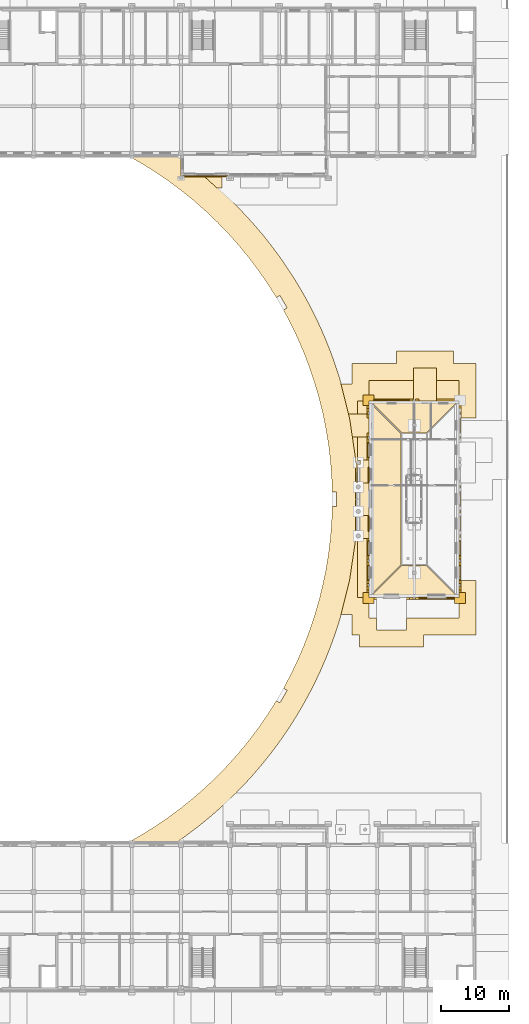
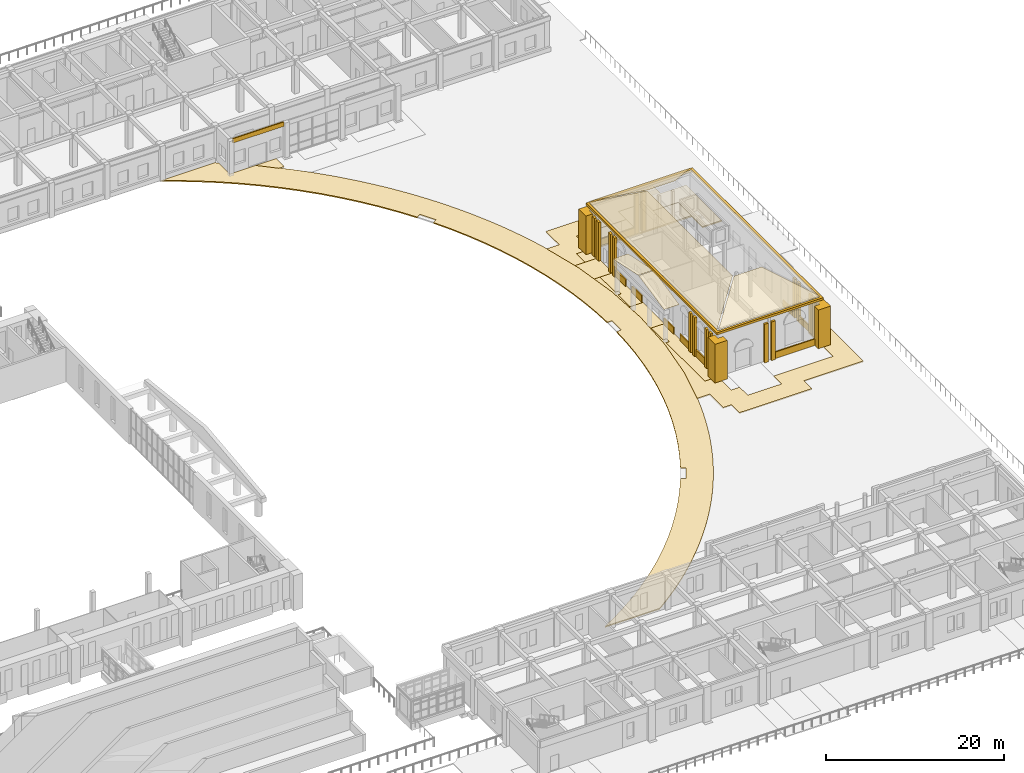
# One storey, part 125 of 131: 45 coverings.
"""IFC4 building model written with IfcOpenShell, lengths in metres."""

import ifcopenshell
import ifcopenshell.guid

model = None  # the IFC model being written
_history = None  # IfcOwnerHistory: only IFC2X3 demands one
_inside = {}  # id of a spatial element -> (the spatial element, [elements in it])
_under = {}  # id of a project, library or spatial element -> (it, [spatial elements below it])
_declared = {}  # id of a project -> (the project, [libraries it declares])
_typed = {}  # id of a type object -> (the type object, [elements of that type])
_made_of = {}  # id of a material, layer set ... -> (it, [elements and type objects made of it])


def new_model(schema):
    """Start an empty IFC model of exactly this schema.

    Asked for "IFC4X3", IfcOpenShell would pick the latest addendum, in which some entities
    have other attributes; the version numbers below select the first issue.
    IFC2X3 requires an IfcOwnerHistory on every rooted entity: one is made here for all.
    """
    global model, _history
    if schema == "IFC4X3":
        model = ifcopenshell.file(schema_version=(4, 3, 0, 0))
    else:
        model = ifcopenshell.file(schema=schema)
    _inside.clear()
    _under.clear()
    _declared.clear()
    _typed.clear()
    _made_of.clear()
    _history = None
    if model.schema == "IFC2X3":
        org = make("IfcOrganization", Name="unknown")
        user = make(
            "IfcPersonAndOrganization",
            ThePerson=make("IfcPerson", FamilyName="unknown"),
            TheOrganization=org,
        )
        app = make(
            "IfcApplication",
            ApplicationDeveloper=org,
            Version="unknown",
            ApplicationFullName="unknown",
            ApplicationIdentifier="unknown",
        )
        _history = make(
            "IfcOwnerHistory",
            OwningUser=user,
            OwningApplication=app,
            ChangeAction="ADDED",
            CreationDate=0,
        )
    return model


def make(cls, **values):
    """One entity of the class cls with the attributes given. An attribute that is None is left unset."""
    return model.create_entity(
        cls, **{name: value for name, value in values.items() if value is not None}
    )


def rooted(cls, **values):
    """An entity with a GlobalId (a new one), such as an element, a storey or a relation."""
    return make(cls, GlobalId=ifcopenshell.guid.new(), OwnerHistory=_history, **values)


def si_unit(unit_type, name, prefix=None):
    """IfcSIUnit, for example si_unit("LENGTHUNIT", "METRE", prefix="MILLI")."""
    return make("IfcSIUnit", UnitType=unit_type, Prefix=prefix, Name=name)


def assignment(units):
    """IfcUnitAssignment: the units of a project."""
    return None if units is None else make("IfcUnitAssignment", Units=units)


def point(xyz):
    """IfcCartesianPoint."""
    return None if xyz is None else make("IfcCartesianPoint", Coordinates=xyz)


def direction(xyz):
    """IfcDirection."""
    return None if xyz is None else make("IfcDirection", DirectionRatios=xyz)


def frame(location, z_axis=None, x_axis=None):
    """IfcAxis2Placement3D, a coordinate frame: its origin and axes. An axis left out is left unset."""
    return make(
        "IfcAxis2Placement3D",
        Location=point(location),
        Axis=direction(z_axis),
        RefDirection=direction(x_axis),
    )


def frame_2d(location, x_axis=None):
    """IfcAxis2Placement2D, a coordinate frame in the plane: its origin and x axis."""
    return make(
        "IfcAxis2Placement2D", Location=point(location), RefDirection=direction(x_axis)
    )


def origin():
    """The frame at (0, 0, 0) with its axes left unset."""
    return frame((0.0, 0.0, 0.0))


def place(relative_to, where):
    """IfcLocalPlacement: puts the frame where relative to a parent placement (None: the world)."""
    return make(
        "IfcLocalPlacement", PlacementRelTo=relative_to, RelativePlacement=where
    )


def context(
    kind, dimensions, precision=None, world=None, true_north=None, identifier=None
):
    """IfcGeometricRepresentationContext, for example the 3D "Model" context."""
    return make(
        "IfcGeometricRepresentationContext",
        ContextIdentifier=identifier,
        ContextType=kind,
        CoordinateSpaceDimension=dimensions,
        Precision=precision,
        WorldCoordinateSystem=world,
        TrueNorth=true_north,
    )


def subcontext(parent, identifier, kind, view, scale=None):
    """IfcGeometricRepresentationSubContext, for example "Body" below "Model"."""
    return make(
        "IfcGeometricRepresentationSubContext",
        ContextIdentifier=identifier,
        ContextType=kind,
        ParentContext=parent,
        TargetScale=scale,
        TargetView=view,
    )


def project(units=None, contexts=None):
    """IfcProject with its units and contexts."""
    return rooted(
        "IfcProject",
        Name="project",
        RepresentationContexts=contexts,
        UnitsInContext=assignment(units),
    )


def spatial(cls, under=None, at=None, **own):
    """A site, building, storey or space (cls), placed at a placement, below another one or the project."""
    s = rooted(cls, ObjectPlacement=at, **own)
    if under is not None:
        _under.setdefault(under.id(), (under, []))[1].append(s)
    return s


def polyline(points):
    """IfcPolyline through the points."""
    return make("IfcPolyline", Points=[point(p) for p in points])


def profile(cls, at=None, kind="AREA", **sizes):
    """A parametric profile (cls). Its sizes go by their IFC names, for example OverallWidth=200.0."""
    return make(cls, ProfileType=kind, Position=at, **sizes)


def rectangle(**sizes):
    """IfcRectangleProfileDef."""
    return profile("IfcRectangleProfileDef", **sizes)


def outline(outer, holes=None, kind="AREA"):
    """IfcArbitraryClosedProfileDef: a profile drawn as a closed curve; with holes, ...WithVoids."""
    if holes is None:
        return make("IfcArbitraryClosedProfileDef", ProfileType=kind, OuterCurve=outer)
    return make(
        "IfcArbitraryProfileDefWithVoids",
        ProfileType=kind,
        OuterCurve=outer,
        InnerCurves=holes,
    )


def extrude(swept, where, along, depth):
    """IfcExtrudedAreaSolid: the profile swept, set in the frame where, extruded along a direction by depth."""
    return make(
        "IfcExtrudedAreaSolid",
        SweptArea=swept,
        Position=where,
        ExtrudedDirection=direction(along),
        Depth=depth,
    )


def shape(context_of_items, identifier, shape_type, items):
    """IfcShapeRepresentation: the items that make up one representation, for example the "Body"."""
    return make(
        "IfcShapeRepresentation",
        ContextOfItems=context_of_items,
        RepresentationIdentifier=identifier,
        RepresentationType=shape_type,
        Items=items,
    )


def material(Name=None, Category=None):
    """IfcMaterial."""
    return make("IfcMaterial", Name=Name, Category=Category)


def layer(
    of_material, thickness, ventilated=None, Name=None, Category=None, Priority=None
):
    """IfcMaterialLayer: one layer of a wall or slab, of a material (None: an air gap)."""
    return make(
        "IfcMaterialLayer",
        Material=of_material,
        LayerThickness=thickness,
        IsVentilated=ventilated,
        Name=Name,
        Category=Category,
        Priority=Priority,
    )


def layer_set(layers, Name=None):
    """IfcMaterialLayerSet."""
    return make("IfcMaterialLayerSet", MaterialLayers=layers, LayerSetName=Name)


def made_of(thing, what):
    """Note that an element or type object is made of a material, layer set ...; save() writes the relation."""
    if what is not None:
        _made_of.setdefault(what.id(), (what, []))[1].append(thing)
    return thing


def type_object(cls, material=None, **own):
    """A type object (cls), such as IfcWallType, which elements share."""
    return made_of(rooted(cls, **own), material)


def element(
    cls,
    number,
    at=None,
    inside=None,
    cuts=None,
    type_object=None,
    material=None,
    context=None,
    identifier="Body",
    shape_type=None,
    held_by="IfcProductDefinitionShape",
    body=None,
    shapes=None,
    **own,
):
    """One element of the class cls, such as IfcWall. Its Tag is "e" and its number.

    at: its placement. inside: the storey or other place that contains it. cuts: it is an
    opening in that element (IfcRelVoidsElement). A single representation is given by context,
    identifier, shape_type and body (its items); several are given by shapes. held_by: the class
    of the entity that holds the representations. save() writes the other relations.
    """
    e = rooted(cls, Tag="e%d" % number, ObjectPlacement=at, **own)
    if body is not None:
        shapes = [shape(context, identifier, shape_type, body)]
    if shapes is not None:
        e.Representation = make(held_by, Representations=shapes)
    if inside is not None:
        _inside.setdefault(inside.id(), (inside, []))[1].append(e)
    if cuts is not None:
        rooted(
            "IfcRelVoidsElement", RelatingBuildingElement=cuts, RelatedOpeningElement=e
        )
    if type_object is not None:
        _typed.setdefault(type_object.id(), (type_object, []))[1].append(e)
    return made_of(e, material)


def aggregate(whole, parts):
    """IfcRelAggregates: a whole, such as a stair, and the parts it consists of."""
    return rooted("IfcRelAggregates", RelatingObject=whole, RelatedObjects=parts)


def save(model, path):
    """Write the relations noted so far, then the file.

    IfcRelAggregates (storeys below a building ...), IfcRelContainedInSpatialStructure (elements
    in a storey), IfcRelDefinesByType, IfcRelAssociatesMaterial and IfcRelDeclares: one each for
    every whole, place, type object, material and project.
    """
    for whole, parts in _under.values():
        aggregate(whole, parts)
    for where, things in _inside.values():
        rooted(
            "IfcRelContainedInSpatialStructure",
            RelatedElements=things,
            RelatingStructure=where,
        )
    for kind, things in _typed.values():
        rooted("IfcRelDefinesByType", RelatedObjects=things, RelatingType=kind)
    for what, things in _made_of.values():
        rooted("IfcRelAssociatesMaterial", RelatedObjects=things, RelatingMaterial=what)
    for by, libraries in _declared.values():
        rooted("IfcRelDeclares", RelatingContext=by, RelatedDefinitions=libraries)
    model.write(path)


model = new_model("IFC4")

# Units and contexts
model_context = context("Model", 3, precision=1e-05, world=origin(), true_north=direction((0.0, 1.0)))
body_context = subcontext(model_context, "Body", "Model", "MODEL_VIEW")
ifc_project = project(units=[si_unit("LENGTHUNIT", "METRE"), si_unit("AREAUNIT", "SQUARE_METRE"), si_unit("VOLUMEUNIT", "CUBIC_METRE"), si_unit("PLANEANGLEUNIT", "RADIAN"), si_unit("MASSUNIT", "GRAM", prefix="KILO")], contexts=[model_context])

# Site, building, storey
site_placement = place(None, origin())
site = spatial("IfcSite", under=ifc_project, at=site_placement, CompositionType="ELEMENT")
building_placement = place(site_placement, origin())
building = spatial("IfcBuilding", under=site, at=building_placement, Name="Alderwick Market Hall", CompositionType="ELEMENT")
storey_placement = place(building_placement, frame((0.0, 0.0, 4.800048828125)))
storey = spatial("IfcBuildingStorey", under=building, at=storey_placement, Name="L00", CompositionType="ELEMENT", Elevation=4.800048828125)

# Coverings
ifc_material_1 = material(Name="Cast stone 5000 psi", Category="masonry")
ifc_layer_1 = layer(ifc_material_1, 0.14990234375)
ifc_layer_set_1 = layer_set([ifc_layer_1], Name="Cast stone 5000 psi")
covering_type_1 = type_object("IfcCoveringType", Name="F String Course Cast Stone 150x600", PredefinedType="CLADDING", material=ifc_layer_set_1)
covering_1_placement = place(storey_placement, frame((194.10009765625, 126.52490234375, 4.199951171875), z_axis=(0.0, 0.0, 1.0), x_axis=(-1.0, 0.0, 0.0)))
element("IfcCovering", 1, at=covering_1_placement, inside=storey, type_object=covering_type_1, Name="F.wall.L00.band.pav1.01", PredefinedType="CLADDING", context=body_context, shape_type="SweptSolid", body=[
    extrude(rectangle(XDim=6.60009765625, YDim=0.14990234375, at=frame_2d((3.300048828125, 0.0))), origin(), (0.0, 0.0, 1.0), 0.60009765625),
])
ifc_layer_2 = layer(ifc_material_1, 0.14990234375)
ifc_layer_set_2 = layer_set([ifc_layer_2], Name="Cast stone 5000 psi")
covering_type_2 = type_object("IfcCoveringType", Name="G Base course 150", PredefinedType="CLADDING", material=ifc_layer_set_2)
covering_2_placement = place(storey_placement, origin())
element("IfcCovering", 2, at=covering_2_placement, inside=storey, type_object=covering_type_2, Name="Base course W1", PredefinedType="CLADDING", context=body_context, shape_type="SweptSolid", body=[
    extrude(outline(polyline([(214.64990234375, 67.300048828125), (214.800048828125, 67.300048828125), (214.800048828125, 69.5), (214.64990234375, 69.5), (214.64990234375, 67.300048828125)])), origin(), (0.0, 0.0, 1.0), 0.89990234375),
])
covering_3_placement = place(storey_placement, origin())
element("IfcCovering", 3, at=covering_3_placement, inside=storey, type_object=covering_type_2, Name="Base course W2", PredefinedType="CLADDING", context=body_context, shape_type="SweptSolid", body=[
    extrude(outline(polyline([(214.64990234375, 70.89990234375), (214.800048828125, 70.89990234375), (214.800048828125, 73.10009765625), (214.64990234375, 73.10009765625), (214.64990234375, 70.89990234375)])), origin(), (0.0, 0.0, 1.0), 0.89990234375),
])
covering_4_placement = place(storey_placement, origin())
element("IfcCovering", 4, at=covering_4_placement, inside=storey, type_object=covering_type_2, Name="Base course W3", PredefinedType="CLADDING", context=body_context, shape_type="SweptSolid", body=[
    extrude(outline(polyline([(214.64990234375, 74.5), (214.800048828125, 74.5), (214.800048828125, 76.699951171875), (214.64990234375, 76.699951171875), (214.64990234375, 74.5)])), origin(), (0.0, 0.0, 1.0), 0.89990234375),
])
covering_5_placement = place(storey_placement, origin())
element("IfcCovering", 5, at=covering_5_placement, inside=storey, type_object=covering_type_2, Name="Base course W5", PredefinedType="CLADDING", context=body_context, shape_type="SweptSolid", body=[
    extrude(outline(polyline([(214.64990234375, 81.699951171875), (214.800048828125, 81.699951171875), (214.800048828125, 83.89990234375), (214.64990234375, 83.89990234375), (214.64990234375, 81.699951171875)])), origin(), (0.0, 0.0, 1.0), 0.89990234375),
])
covering_6_placement = place(storey_placement, origin())
element("IfcCovering", 6, at=covering_6_placement, inside=storey, type_object=covering_type_2, Name="Base course W6", PredefinedType="CLADDING", context=body_context, shape_type="SweptSolid", body=[
    extrude(outline(polyline([(214.64990234375, 85.300048828125), (214.800048828125, 85.300048828125), (214.800048828125, 87.5), (214.64990234375, 87.5), (214.64990234375, 85.300048828125)])), origin(), (0.0, 0.0, 1.0), 0.89990234375),
])
covering_7_placement = place(storey_placement, origin())
element("IfcCovering", 7, at=covering_7_placement, inside=storey, type_object=covering_type_2, Name="Base course E1", PredefinedType="CLADDING", context=body_context, shape_type="SweptSolid", body=[
    extrude(outline(polyline([(228.0, 67.300048828125), (228.14990234375, 67.300048828125), (228.14990234375, 69.5), (228.0, 69.5), (228.0, 67.300048828125)])), origin(), (0.0, 0.0, 1.0), 0.89990234375),
])
covering_8_placement = place(storey_placement, origin())
element("IfcCovering", 8, at=covering_8_placement, inside=storey, type_object=covering_type_2, Name="Base course E2", PredefinedType="CLADDING", context=body_context, shape_type="SweptSolid", body=[
    extrude(outline(polyline([(228.0, 70.89990234375), (228.14990234375, 70.89990234375), (228.14990234375, 73.10009765625), (228.0, 73.10009765625), (228.0, 70.89990234375)])), origin(), (0.0, 0.0, 1.0), 0.89990234375),
])
covering_9_placement = place(storey_placement, origin())
element("IfcCovering", 9, at=covering_9_placement, inside=storey, type_object=covering_type_2, Name="Base course S2", PredefinedType="CLADDING", context=body_context, shape_type="SweptSolid", body=[
    extrude(outline(polyline([(222.10009765625, 64.64990234375), (227.300048828125, 64.64990234375), (227.300048828125, 64.800048828125), (222.10009765625, 64.800048828125), (222.10009765625, 64.64990234375)])), origin(), (0.0, 0.0, 1.0), 0.89990234375),
])
covering_10_placement = place(storey_placement, origin())
element("IfcCovering", 10, at=covering_10_placement, inside=storey, type_object=covering_type_2, Name="Base course N1", PredefinedType="CLADDING", context=body_context, shape_type="SweptSolid", body=[
    extrude(outline(polyline([(215.5, 93.60009765625), (220.699951171875, 93.60009765625), (220.699951171875, 93.75), (215.5, 93.75), (215.5, 93.60009765625)])), origin(), (0.0, 0.0, 1.0), 0.89990234375),
])
ifc_material_2 = material(Name="Copper standing seam roofing")
ifc_layer_3 = layer(ifc_material_2, 0.00390625)
ifc_layer_set_3 = layer_set([ifc_layer_3], Name="Copper standing seam roofing")
covering_type_3 = type_object("IfcCoveringType", Name="G Copper roofing 4 mm", PredefinedType="ROOFING", material=ifc_layer_set_3)
covering_11_placement = place(storey_placement, frame((214.673095703125, 64.800048828125, 6.52001953125), z_axis=(-0.500009703302, 0.0, 0.866019801508), x_axis=(0.654636980106, 0.654670278019, 0.37796461654)))
element("IfcCovering", 11, at=covering_11_placement, inside=storey, type_object=covering_type_3, Name="Copper roofing W", PredefinedType="ROOFING", context=body_context, shape_type="SweptSolid", body=[
    extrude(outline(polyline([(0.0, 0.0), (7.332009699062732, -6.661338147750939e-16), (19.901647070709547, 14.51352270634817), (18.854535973275645, 21.770376334249228), (0.0, 0.0)])), origin(), (0.0, 0.0, -1.0), 0.00390625),
])
covering_12_placement = place(storey_placement, frame((214.800048828125, 64.673095703125, 6.52001953125), z_axis=(0.0, -0.500009703302, 0.866019801508), x_axis=(1.0, 0.0, 0.0)))
element("IfcCovering", 12, at=covering_12_placement, inside=storey, type_object=covering_type_3, Name="Copper roofing S", PredefinedType="ROOFING", context=body_context, shape_type="SweptSolid", body=[
    extrude(outline(polyline([(0.0, 0.0), (13.199951171875, 0.0), (8.39990234375, 5.542372910114023), (4.800048828125, 5.542372910114023), (0.0, 0.0)])), origin(), (0.0, 0.0, -1.0), 0.00390625),
])
covering_13_placement = place(storey_placement, frame((214.800048828125, 93.72705078125, 6.52001953125), z_axis=(0.0, 0.499990629522, 0.866030813765), x_axis=(0.65465600759, -0.65465600759, 0.37795637771)))
element("IfcCovering", 13, at=covering_13_placement, inside=storey, type_object=covering_type_3, Name="Copper roofing N", PredefinedType="ROOFING", context=body_context, shape_type="SweptSolid", body=[
    extrude(outline(polyline([(0.0, 0.0), (7.332169524866918, 1.1102230246251565e-16), (9.688835255316063, 2.7212261884827362), (8.641427334567231, 9.97819846271252), (0.0, 0.0)])), origin(), (0.0, 0.0, -1.0), 0.00390625),
])
covering_14_placement = place(storey_placement, frame((212.800048828125, 73.45751953125, 4.6494140625), z_axis=(0.0, -0.207929406478, 0.978143834986), x_axis=(0.0, 0.978143834986, 0.207929406478)))
element("IfcCovering", 14, at=covering_14_placement, inside=storey, type_object=covering_type_3, Name="Portico copper roofing A", PredefinedType="ROOFING", context=body_context, shape_type="SweptSolid", body=[
    extrude(outline(polyline([(0.0, 0.0), (5.827313906195182, 0.0), (5.827313906195182, -2.0), (0.0, -2.0), (0.0, 0.0)])), origin(), (0.0, 0.0, -1.0), 0.00390625),
])
covering_15_placement = place(storey_placement, frame((212.800048828125, 84.9423828125, 4.6494140625), z_axis=(0.0, 0.207929406478, 0.978143834986), x_axis=(1.0, 0.0, 0.0)))
element("IfcCovering", 15, at=covering_15_placement, inside=storey, type_object=covering_type_3, Name="Portico copper roofing B", PredefinedType="ROOFING", context=body_context, shape_type="SweptSolid", body=[
    extrude(outline(polyline([(0.0, 0.0), (2.0, 0.0), (2.0, -5.827313906195182), (0.0, -5.827313906195182), (0.0, 0.0)])), origin(), (0.0, 0.0, -1.0), 0.00390625),
])
ifc_layer_4 = layer(ifc_material_1, 0.300048828125)
ifc_layer_set_4 = layer_set([ifc_layer_4], Name="Cast stone 5000 psi")
covering_type_4 = type_object("IfcCoveringType", Name="G Cornice 300", PredefinedType="CLADDING", material=ifc_layer_set_4)
covering_16_placement = place(storey_placement, frame((0.0, 0.0, 6.0)))
element("IfcCovering", 16, at=covering_16_placement, inside=storey, type_object=covering_type_4, Name="Cornice", PredefinedType="CLADDING", context=body_context, shape_type="SweptSolid", body=[
    extrude(outline(polyline([(214.5, 64.5), (228.300048828125, 64.5), (228.300048828125, 93.89990234375), (214.5, 93.89990234375), (214.5, 64.5)]), holes=[polyline([(214.800048828125, 64.800048828125), (228.0, 64.800048828125), (228.0, 93.60009765625), (214.800048828125, 93.60009765625), (214.800048828125, 64.800048828125)])]), origin(), (0.0, 0.0, 1.0), 0.300048828125),
])
ifc_material_3 = material(Name="Granite setts on concrete bed", Category="masonry")
ifc_layer_5 = layer(ifc_material_3, 0.199951171875)
ifc_layer_set_5 = layer_set([ifc_layer_5], Name="Granite setts on concrete bed")
covering_type_5 = type_object("IfcCoveringType", Name="G Paving 200", PredefinedType="USERDEFINED", material=ifc_layer_set_5)
covering_17_placement = place(storey_placement, frame((0.0, 0.0, -0.199951171875)))
element("IfcCovering", 17, at=covering_17_placement, inside=storey, type_object=covering_type_5, Name="Pavilion forecourt paving", ObjectType="PAVING", PredefinedType="USERDEFINED", context=body_context, shape_type="SweptSolid", body=[
    extrude(outline(polyline([(213.10009765625, 93.60009765625), (214.800048828125, 93.60009765625), (214.800048828125, 64.800048828125), (213.10009765625, 64.800048828125), (213.10009765625, 73.47998046875), (213.52001953125, 73.47998046875), (213.52001953125, 74.1201171875), (213.10009765625, 74.1201171875), (213.10009765625, 77.080078125), (213.52001953125, 77.080078125), (213.52001953125, 77.719970703125), (213.10009765625, 77.719970703125), (213.10009765625, 80.679931640625), (213.52001953125, 80.679931640625), (213.52001953125, 81.320068359375), (213.10009765625, 81.320068359375), (213.10009765625, 84.280029296875), (213.52001953125, 84.280029296875), (213.52001953125, 84.919921875), (213.10009765625, 84.919921875), (213.10009765625, 93.60009765625)])), origin(), (0.0, 0.0, 1.0), 0.199951171875),
])
covering_18_placement = place(storey_placement, frame((0.0, 0.0, -0.199951171875)))
element("IfcCovering", 18, at=covering_18_placement, inside=storey, type_object=covering_type_5, Name="Pavilion north apron paving", ObjectType="PAVING", PredefinedType="USERDEFINED", context=body_context, shape_type="SweptSolid", body=[
    extrude(outline(polyline([(214.800048828125, 93.60009765625), (228.0, 93.60009765625), (228.0, 96.60009765625), (214.800048828125, 96.60009765625), (214.800048828125, 93.60009765625)])), origin(), (0.0, 0.0, 1.0), 0.199951171875),
])
ifc_layer_6 = layer(ifc_material_1, 0.300048828125)
ifc_layer_set_6 = layer_set([ifc_layer_6], Name="Cast stone 5000 psi")
covering_type_6 = type_object("IfcCoveringType", Name="G Pilaster 500", PredefinedType="CLADDING", material=ifc_layer_set_6)
covering_19_placement = place(storey_placement, origin())
element("IfcCovering", 19, at=covering_19_placement, inside=storey, type_object=covering_type_6, Name="Pilaster W1", PredefinedType="CLADDING", context=body_context, shape_type="SweptSolid", body=[
    extrude(outline(polyline([(214.5, 65.89990234375), (214.800048828125, 65.89990234375), (214.800048828125, 66.39990234375), (214.5, 66.39990234375), (214.5, 65.89990234375)])), origin(), (0.0, 0.0, 1.0), 5.300048828125),
])
covering_20_placement = place(storey_placement, origin())
element("IfcCovering", 20, at=covering_20_placement, inside=storey, type_object=covering_type_6, Name="Pilaster W1", PredefinedType="CLADDING", context=body_context, shape_type="SweptSolid", body=[
    extrude(outline(polyline([(214.5, 66.800048828125), (214.800048828125, 66.800048828125), (214.800048828125, 67.300048828125), (214.5, 67.300048828125), (214.5, 66.800048828125)])), origin(), (0.0, 0.0, 1.0), 5.300048828125),
])
covering_21_placement = place(storey_placement, origin())
element("IfcCovering", 21, at=covering_21_placement, inside=storey, type_object=covering_type_6, Name="Pilaster W2", PredefinedType="CLADDING", context=body_context, shape_type="SweptSolid", body=[
    extrude(outline(polyline([(214.5, 69.5), (214.800048828125, 69.5), (214.800048828125, 70.0), (214.5, 70.0), (214.5, 69.5)])), origin(), (0.0, 0.0, 1.0), 5.300048828125),
])
covering_22_placement = place(storey_placement, origin())
element("IfcCovering", 22, at=covering_22_placement, inside=storey, type_object=covering_type_6, Name="Pilaster W2", PredefinedType="CLADDING", context=body_context, shape_type="SweptSolid", body=[
    extrude(outline(polyline([(214.5, 70.39990234375), (214.800048828125, 70.39990234375), (214.800048828125, 70.89990234375), (214.5, 70.89990234375), (214.5, 70.39990234375)])), origin(), (0.0, 0.0, 1.0), 5.300048828125),
])
covering_23_placement = place(storey_placement, origin())
element("IfcCovering", 23, at=covering_23_placement, inside=storey, type_object=covering_type_6, Name="Pilaster W7", PredefinedType="CLADDING", context=body_context, shape_type="SweptSolid", body=[
    extrude(outline(polyline([(214.5, 87.5), (214.800048828125, 87.5), (214.800048828125, 88.0), (214.5, 88.0), (214.5, 87.5)])), origin(), (0.0, 0.0, 1.0), 5.300048828125),
])
covering_24_placement = place(storey_placement, origin())
element("IfcCovering", 24, at=covering_24_placement, inside=storey, type_object=covering_type_6, Name="Pilaster W7", PredefinedType="CLADDING", context=body_context, shape_type="SweptSolid", body=[
    extrude(outline(polyline([(214.5, 88.39990234375), (214.800048828125, 88.39990234375), (214.800048828125, 88.89990234375), (214.5, 88.89990234375), (214.5, 88.39990234375)])), origin(), (0.0, 0.0, 1.0), 5.300048828125),
])
covering_25_placement = place(storey_placement, origin())
element("IfcCovering", 25, at=covering_25_placement, inside=storey, type_object=covering_type_6, Name="Pilaster W8", PredefinedType="CLADDING", context=body_context, shape_type="SweptSolid", body=[
    extrude(outline(polyline([(214.5, 91.10009765625), (214.800048828125, 91.10009765625), (214.800048828125, 91.60009765625), (214.5, 91.60009765625), (214.5, 91.10009765625)])), origin(), (0.0, 0.0, 1.0), 5.300048828125),
])
covering_26_placement = place(storey_placement, origin())
element("IfcCovering", 26, at=covering_26_placement, inside=storey, type_object=covering_type_6, Name="Pilaster W8", PredefinedType="CLADDING", context=body_context, shape_type="SweptSolid", body=[
    extrude(outline(polyline([(214.5, 92.0), (214.800048828125, 92.0), (214.800048828125, 92.5), (214.5, 92.5), (214.5, 92.0)])), origin(), (0.0, 0.0, 1.0), 5.300048828125),
])
covering_27_placement = place(storey_placement, origin())
element("IfcCovering", 27, at=covering_27_placement, inside=storey, type_object=covering_type_6, Name="Pilaster E1", PredefinedType="CLADDING", context=body_context, shape_type="SweptSolid", body=[
    extrude(outline(polyline([(228.0, 65.89990234375), (228.300048828125, 65.89990234375), (228.300048828125, 66.39990234375), (228.0, 66.39990234375), (228.0, 65.89990234375)])), origin(), (0.0, 0.0, 1.0), 5.300048828125),
])
covering_28_placement = place(storey_placement, origin())
element("IfcCovering", 28, at=covering_28_placement, inside=storey, type_object=covering_type_6, Name="Pilaster E1", PredefinedType="CLADDING", context=body_context, shape_type="SweptSolid", body=[
    extrude(outline(polyline([(228.0, 66.800048828125), (228.300048828125, 66.800048828125), (228.300048828125, 67.300048828125), (228.0, 67.300048828125), (228.0, 66.800048828125)])), origin(), (0.0, 0.0, 1.0), 5.300048828125),
])
covering_29_placement = place(storey_placement, origin())
element("IfcCovering", 29, at=covering_29_placement, inside=storey, type_object=covering_type_6, Name="Pilaster E2", PredefinedType="CLADDING", context=body_context, shape_type="SweptSolid", body=[
    extrude(outline(polyline([(228.0, 69.5), (228.300048828125, 69.5), (228.300048828125, 70.0), (228.0, 70.0), (228.0, 69.5)])), origin(), (0.0, 0.0, 1.0), 5.300048828125),
])
covering_30_placement = place(storey_placement, origin())
element("IfcCovering", 30, at=covering_30_placement, inside=storey, type_object=covering_type_6, Name="Pilaster E2", PredefinedType="CLADDING", context=body_context, shape_type="SweptSolid", body=[
    extrude(outline(polyline([(228.0, 70.39990234375), (228.300048828125, 70.39990234375), (228.300048828125, 70.89990234375), (228.0, 70.89990234375), (228.0, 70.39990234375)])), origin(), (0.0, 0.0, 1.0), 5.300048828125),
])
covering_31_placement = place(storey_placement, origin())
element("IfcCovering", 31, at=covering_31_placement, inside=storey, type_object=covering_type_6, Name="Pilaster S", PredefinedType="CLADDING", context=body_context, shape_type="SweptSolid", body=[
    extrude(outline(polyline([(220.699951171875, 64.5), (221.199951171875, 64.5), (221.199951171875, 64.800048828125), (220.699951171875, 64.800048828125), (220.699951171875, 64.5)])), origin(), (0.0, 0.0, 1.0), 5.300048828125),
])
covering_32_placement = place(storey_placement, origin())
element("IfcCovering", 32, at=covering_32_placement, inside=storey, type_object=covering_type_6, Name="Pilaster S", PredefinedType="CLADDING", context=body_context, shape_type="SweptSolid", body=[
    extrude(outline(polyline([(221.60009765625, 64.5), (222.10009765625, 64.5), (222.10009765625, 64.800048828125), (221.60009765625, 64.800048828125), (221.60009765625, 64.5)])), origin(), (0.0, 0.0, 1.0), 5.300048828125),
])
covering_33_placement = place(storey_placement, origin())
element("IfcCovering", 33, at=covering_33_placement, inside=storey, type_object=covering_type_6, Name="Pilaster N", PredefinedType="CLADDING", context=body_context, shape_type="SweptSolid", body=[
    extrude(outline(polyline([(220.699951171875, 93.60009765625), (221.199951171875, 93.60009765625), (221.199951171875, 93.89990234375), (220.699951171875, 93.89990234375), (220.699951171875, 93.60009765625)])), origin(), (0.0, 0.0, 1.0), 5.300048828125),
])
covering_34_placement = place(storey_placement, origin())
element("IfcCovering", 34, at=covering_34_placement, inside=storey, type_object=covering_type_6, Name="Pilaster N", PredefinedType="CLADDING", context=body_context, shape_type="SweptSolid", body=[
    extrude(outline(polyline([(221.60009765625, 93.60009765625), (222.10009765625, 93.60009765625), (222.10009765625, 93.89990234375), (221.60009765625, 93.89990234375), (221.60009765625, 93.60009765625)])), origin(), (0.0, 0.0, 1.0), 5.300048828125),
])
ifc_layer_7 = layer(ifc_material_1, 0.300048828125)
ifc_layer_set_7 = layer_set([ifc_layer_7], Name="Cast stone 5000 psi")
covering_type_7 = type_object("IfcCoveringType", Name="G Quoin", PredefinedType="CLADDING", material=ifc_layer_set_7)
covering_35_placement = place(storey_placement, origin())
element("IfcCovering", 35, at=covering_35_placement, inside=storey, type_object=covering_type_7, Name="Corner quoin 1", PredefinedType="CLADDING", context=body_context, shape_type="SweptSolid", body=[
    extrude(outline(polyline([(213.89990234375, 65.5), (214.800048828125, 65.5), (214.800048828125, 64.800048828125), (215.5, 64.800048828125), (215.5, 63.89990234375), (213.89990234375, 63.89990234375), (213.89990234375, 65.5)])), origin(), (0.0, 0.0, 1.0), 5.300048828125),
])
covering_36_placement = place(storey_placement, origin())
element("IfcCovering", 36, at=covering_36_placement, inside=storey, type_object=covering_type_7, Name="Corner quoin 2", PredefinedType="CLADDING", context=body_context, shape_type="SweptSolid", body=[
    extrude(outline(polyline([(227.300048828125, 64.800048828125), (228.0, 64.800048828125), (228.0, 65.5), (228.89990234375, 65.5), (228.89990234375, 63.89990234375), (227.300048828125, 63.89990234375), (227.300048828125, 64.800048828125)])), origin(), (0.0, 0.0, 1.0), 5.300048828125),
])
covering_37_placement = place(storey_placement, origin())
element("IfcCovering", 37, at=covering_37_placement, inside=storey, type_object=covering_type_7, Name="Corner quoin 3", PredefinedType="CLADDING", context=body_context, shape_type="SweptSolid", body=[
    extrude(outline(polyline([(213.89990234375, 94.5), (215.5, 94.5), (215.5, 93.60009765625), (214.800048828125, 93.60009765625), (214.800048828125, 92.89990234375), (213.89990234375, 92.89990234375), (213.89990234375, 94.5)])), origin(), (0.0, 0.0, 1.0), 5.300048828125),
])
ifc_layer_8 = layer(ifc_material_3, 0.14990234375)
ifc_layer_set_8 = layer_set([ifc_layer_8], Name="Granite setts on concrete bed")
covering_type_8 = type_object("IfcCoveringType", Name="S Forecourt Paving 150", PredefinedType="USERDEFINED", material=ifc_layer_set_8)
covering_38_placement = place(storey_placement, frame((0.0, 0.0, -0.150146484375)))
element("IfcCovering", 38, at=covering_38_placement, inside=storey, type_object=covering_type_8, Name="Forecourt 05", ObjectType="PAVING", PredefinedType="USERDEFINED", context=body_context, shape_type="SweptSolid", body=[
    extrude(outline(polyline([(224.699951171875, 93.60009765625), (224.699951171875, 98.39990234375), (221.300048828125, 98.39990234375), (221.300048828125, 93.60009765625), (224.699951171875, 93.60009765625)])), origin(), (0.0, 0.0, 1.0), 0.150146484375),
])
covering_39_placement = place(storey_placement, frame((0.0, 0.0, -0.150146484375)))
element("IfcCovering", 39, at=covering_39_placement, inside=storey, type_object=covering_type_8, Name="Forecourt 10", ObjectType="PAVING", PredefinedType="USERDEFINED", context=body_context, shape_type="SweptSolid", body=[
    extrude(outline(polyline([(214.800048828125, 76.800048828125), (214.800048828125, 81.60009765625), (212.982177734375, 81.60009765625), (213.10009765625, 79.199951171875), (212.982177734375, 76.800048828125), (214.800048828125, 76.800048828125)])), origin(), (0.0, 0.0, 1.0), 0.150146484375),
])
covering_40_placement = place(storey_placement, frame((0.0, 0.0, -0.150146484375)))
element("IfcCovering", 40, at=covering_40_placement, inside=storey, type_object=covering_type_8, Name="Forecourt 11", ObjectType="PAVING", PredefinedType="USERDEFINED", context=body_context, shape_type="SweptSolid", body=[
    extrude(outline(polyline([(214.800048828125, 88.324951171875), (214.800048828125, 91.675048828125), (211.783935546875, 91.675048828125), (211.927978515625, 91.1005859375), (212.339599609375, 88.324951171875), (214.800048828125, 88.324951171875)])), origin(), (0.0, 0.0, 1.0), 0.150146484375),
])
covering_41_placement = place(storey_placement, frame((0.0, 0.0, -0.150146484375)))
element("IfcCovering", 41, at=covering_41_placement, inside=storey, type_object=covering_type_8, Name="Forecourt 17", ObjectType="PAVING", PredefinedType="USERDEFINED", context=body_context, shape_type="SweptSolid", body=[
    extrude(outline(polyline([(193.199951171875, 124.800048828125), (193.199951171875, 126.60009765625), (190.4658203125, 126.60009765625), (190.798095703125, 126.353515625), (192.51220703125, 124.800048828125), (193.199951171875, 124.800048828125)])), origin(), (0.0, 0.0, 1.0), 0.150146484375),
])
ifc_material_4 = material(Name="Turf on topsoil")
ifc_layer_9 = layer(ifc_material_4, 0.14990234375)
ifc_layer_set_9 = layer_set([ifc_layer_9], Name="Turf on topsoil")
covering_type_9 = type_object("IfcCoveringType", Name="S Lawn Turf 150", PredefinedType="USERDEFINED", material=ifc_layer_set_9)
covering_42_placement = place(storey_placement, frame((0.0, 0.0, -0.150146484375)))
element("IfcCovering", 42, at=covering_42_placement, inside=storey, type_object=covering_type_9, Name="Planted terrace 4.01.1", ObjectType="LAWN", PredefinedType="USERDEFINED", context=body_context, shape_type="SweptSolid", body=[
    extrude(outline(polyline([(183.38232421875, 31.192626953125), (181.38330078125, 29.94775390625), (179.359375, 28.800048828125), (186.4599609375, 28.800048828125), (187.088134765625, 29.231689453125), (187.954833984375, 29.85009765625), (188.810791015625, 30.483154296875), (189.6552734375, 31.13134765625), (190.488525390625, 31.794189453125), (191.31005859375, 32.47119140625), (192.11962890625, 33.16259765625), (192.9169921875, 33.8681640625), (193.701904296875, 34.58740234375), (194.47412109375, 35.3203125), (195.2333984375, 36.06640625), (195.979736328125, 36.82568359375), (196.712646484375, 37.59814453125), (197.431884765625, 38.383056640625), (198.13720703125, 39.180419921875), (198.82861328125, 39.989990234375), (199.505859375, 40.8115234375), (200.168701171875, 41.644775390625), (200.81689453125, 42.4892578125), (201.449951171875, 43.34521484375), (202.068359375, 44.2119140625), (202.67138671875, 45.089111328125), (203.2587890625, 45.97705078125), (203.830810546875, 46.875), (204.38720703125, 47.78271484375), (204.927490234375, 48.699951171875), (205.451904296875, 49.626708984375), (205.959716796875, 50.562255859375), (206.451416015625, 51.506591796875), (206.926513671875, 52.45947265625), (207.384765625, 53.42041015625), (207.826416015625, 54.38916015625), (208.250732421875, 55.365478515625), (208.658203125, 56.34912109375), (209.04833984375, 57.339599609375), (209.421142578125, 58.3369140625), (209.776611328125, 59.34033203125), (210.114501953125, 60.35009765625), (210.4345703125, 61.365234375), (210.737060546875, 62.385986328125), (211.021484375, 63.412109375), (211.2880859375, 64.44287109375), (211.53662109375, 65.47802734375), (211.76708984375, 66.517333984375), (211.979248046875, 67.560791015625), (212.17333984375, 68.607421875), (212.34912109375, 69.657470703125), (212.50634765625, 70.71044921875), (212.645263671875, 71.76611328125), (212.765869140625, 72.82373046875), (212.867919921875, 73.883544921875), (212.951416015625, 74.94482421875), (213.016357421875, 76.007568359375), (213.062744140625, 77.071044921875), (213.0908203125, 78.135498046875), (213.10009765625, 79.199951171875), (213.0908203125, 80.2646484375), (213.062744140625, 81.328857421875), (213.016357421875, 82.392578125), (212.951416015625, 83.455078125), (212.867919921875, 84.5166015625), (212.765869140625, 85.576171875), (212.645263671875, 86.634033203125), (212.50634765625, 87.689697265625), (212.34912109375, 88.742431640625), (212.17333984375, 89.79248046875), (211.979248046875, 90.83935546875), (211.76708984375, 91.882568359375), (211.53662109375, 92.922119140625), (211.2880859375, 93.957275390625), (211.021484375, 94.988037109375), (210.737060546875, 96.013916015625), (210.4345703125, 97.03466796875), (210.114501953125, 98.050048828125), (209.776611328125, 99.059814453125), (209.421142578125, 100.063232421875), (209.04833984375, 101.060302734375), (208.658203125, 102.051025390625), (208.250732421875, 103.03466796875), (207.826416015625, 104.010986328125), (207.384765625, 104.979736328125), (206.926513671875, 105.940673828125), (206.451416015625, 106.893310546875), (205.959716796875, 107.837890625), (205.451904296875, 108.7734375), (204.927490234375, 109.699951171875), (204.38720703125, 110.6171875), (203.830810546875, 111.525146484375), (203.2587890625, 112.423095703125), (202.67138671875, 113.310791015625), (202.068359375, 114.188232421875), (201.449951171875, 115.054931640625), (200.81689453125, 115.91064453125), (200.168701171875, 116.75537109375), (199.505859375, 117.58837890625), (198.82861328125, 118.409912109375), (198.13720703125, 119.219482421875), (197.431884765625, 120.01708984375), (196.712646484375, 120.802001953125), (195.979736328125, 121.57421875), (195.2333984375, 122.33349609375), (194.47412109375, 123.07958984375), (193.701904296875, 123.8125), (192.9169921875, 124.53173828125), (192.11962890625, 125.2373046875), (191.31005859375, 125.9287109375), (190.49560546875, 126.60009765625), (187.199951171875, 126.60009765625), (187.199951171875, 129.08837890625), (187.088134765625, 129.168212890625), (186.82373046875, 129.35009765625), (179.80029296875, 129.35009765625), (181.38330078125, 128.452392578125), (183.38232421875, 127.20751953125), (185.32861328125, 125.88134765625), (187.218994140625, 124.4765625), (189.0498046875, 122.9951171875), (190.818115234375, 121.439697265625), (192.521240234375, 119.81298828125), (194.156005859375, 118.117919921875), (195.719482421875, 116.356689453125), (197.209716796875, 114.532958984375), (198.62353515625, 112.6494140625), (199.958740234375, 110.70947265625), (201.189208984375, 108.754150390625), (201.71875, 109.059814453125), (202.768798828125, 107.2412109375), (202.2392578125, 106.935302734375), (203.30712890625, 104.912353515625), (204.311279296875, 102.806884765625), (205.228759765625, 100.66259765625), (206.05810546875, 98.482421875), (206.798095703125, 96.2705078125), (207.447509765625, 94.0302734375), (208.00537109375, 91.765380859375), (208.470458984375, 89.47998046875), (208.842041015625, 87.17724609375), (209.11962890625, 84.861328125), (209.302978515625, 82.5361328125), (209.389404296875, 80.25), (210.0009765625, 80.25), (210.0009765625, 78.14990234375), (209.389404296875, 78.14990234375), (209.302978515625, 75.864013671875), (209.11962890625, 73.538818359375), (208.842041015625, 71.222900390625), (208.470458984375, 68.920166015625), (208.00537109375, 66.634521484375), (207.447509765625, 64.36962890625), (206.798095703125, 62.12939453125), (206.05810546875, 59.91748046875), (205.228759765625, 57.7373046875), (204.311279296875, 55.593017578125), (203.30712890625, 53.48779296875), (202.2392578125, 51.464599609375), (202.768798828125, 51.15869140625), (201.71875, 49.340087890625), (201.189208984375, 49.64599609375), (199.958740234375, 47.690673828125), (198.62353515625, 45.75048828125), (197.209716796875, 43.8671875), (195.719482421875, 42.043212890625), (194.156005859375, 40.2822265625), (192.521240234375, 38.5869140625), (190.818115234375, 36.960205078125), (189.0498046875, 35.40478515625), (187.218994140625, 33.923583984375), (185.32861328125, 32.5185546875), (183.38232421875, 31.192626953125)])), origin(), (0.0, 0.0, 1.0), 0.150146484375),
])
covering_43_placement = place(storey_placement, frame((0.0, 0.0, -0.150146484375)))
element("IfcCovering", 43, at=covering_43_placement, inside=storey, type_object=covering_type_9, Name="Lawn 07", ObjectType="LAWN", PredefinedType="USERDEFINED", context=body_context, shape_type="SweptSolid", body=[
    extrude(outline(polyline([(220.300048828125, 60.0), (215.89990234375, 60.0), (215.89990234375, 61.800048828125), (214.800048828125, 61.800048828125), (214.800048828125, 64.800048828125), (213.10009765625, 64.800048828125), (213.10009765625, 73.47998046875), (213.52001953125, 73.47998046875), (213.52001953125, 74.1201171875), (213.10009765625, 74.1201171875), (213.10009765625, 76.800048828125), (212.982177734375, 76.800048828125), (212.806396484375, 73.220947265625), (211.927978515625, 67.299560546875), (210.675537109375, 62.300048828125), (212.300048828125, 62.300048828125), (212.300048828125, 59.300048828125), (213.39990234375, 59.300048828125), (213.39990234375, 57.5), (222.800048828125, 57.5), (222.800048828125, 59.300048828125), (230.5, 59.300048828125), (230.5, 67.300048828125), (228.0, 67.300048828125), (228.0, 64.800048828125), (228.0, 61.800048828125), (220.300048828125, 61.800048828125), (220.300048828125, 60.0)])), origin(), (0.0, 0.0, 1.0), 0.150146484375),
])
covering_44_placement = place(storey_placement, frame((0.0, 0.0, -0.150146484375)))
element("IfcCovering", 44, at=covering_44_placement, inside=storey, type_object=covering_type_9, Name="Lawn 08", ObjectType="LAWN", PredefinedType="USERDEFINED", context=body_context, shape_type="SweptSolid", body=[
    extrude(outline(polyline([(213.10009765625, 91.675048828125), (213.10009765625, 93.60009765625), (214.800048828125, 93.60009765625), (214.800048828125, 96.60009765625), (221.300048828125, 96.60009765625), (221.300048828125, 98.39990234375), (224.699951171875, 98.39990234375), (224.699951171875, 96.60009765625), (228.0, 96.60009765625), (228.0, 93.60009765625), (228.0, 91.10009765625), (230.5, 91.10009765625), (230.5, 99.10009765625), (227.199951171875, 99.10009765625), (227.199951171875, 100.89990234375), (218.800048828125, 100.89990234375), (218.800048828125, 99.10009765625), (212.300048828125, 99.10009765625), (212.300048828125, 96.10009765625), (210.675537109375, 96.10009765625), (211.783935546875, 91.675048828125), (213.10009765625, 91.675048828125)])), origin(), (0.0, 0.0, 1.0), 0.150146484375),
])
covering_45_placement = place(storey_placement, frame((0.0, 0.0, -0.150146484375)))
element("IfcCovering", 45, at=covering_45_placement, inside=storey, type_object=covering_type_9, Name="Lawn 11", ObjectType="LAWN", PredefinedType="USERDEFINED", context=body_context, shape_type="SweptSolid", body=[
    extrude(outline(polyline([(213.10009765625, 88.324951171875), (212.339599609375, 88.324951171875), (212.806396484375, 85.178955078125), (212.982177734375, 81.60009765625), (213.10009765625, 81.60009765625), (213.10009765625, 84.280029296875), (213.52001953125, 84.280029296875), (213.52001953125, 84.919921875), (213.10009765625, 84.919921875), (213.10009765625, 88.324951171875)])), origin(), (0.0, 0.0, 1.0), 0.150146484375),
])

save(model, "model.ifc")
